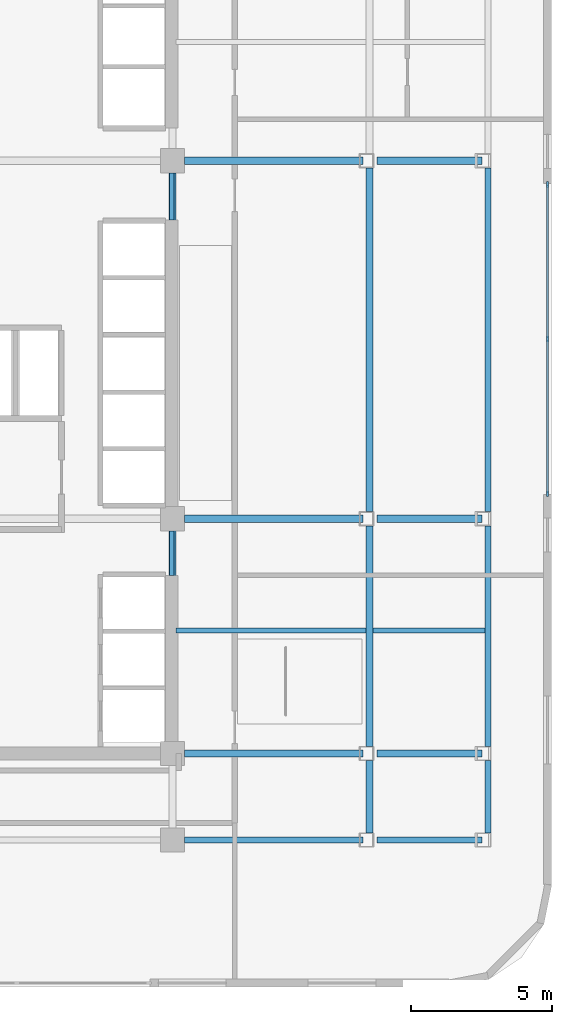
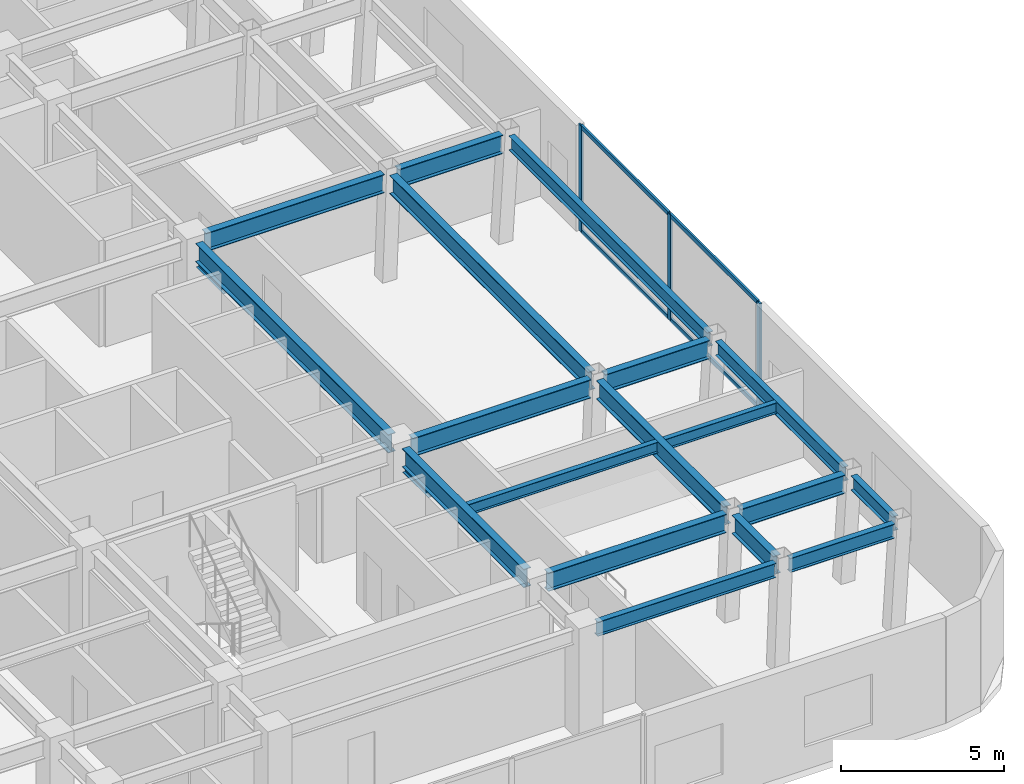
# One storey, part 5 of 13: 20 beams, 7 members, 1 element without a shape of its own.
"""IFC4 building model written with IfcOpenShell, lengths in metres."""

from ifc_helpers import new_model, si_unit, direction, frame, origin, origin_2d, place, context, subcontext, project, spatial, rectangle, i_section, extrude, material, layer, layer_set, material_profile, profile_set, type_object, element, aggregate, save


model = new_model("IFC4")

# Units and contexts
model_context = context("Model", 3, precision=1e-05, world=origin(), true_north=direction((0.0, 1.0)))
body_context = subcontext(model_context, "Body", "Model", "MODEL_VIEW")
ifc_project = project(units=[si_unit("LENGTHUNIT", "METRE"), si_unit("AREAUNIT", "SQUARE_METRE"), si_unit("VOLUMEUNIT", "CUBIC_METRE"), si_unit("PLANEANGLEUNIT", "RADIAN"), si_unit("MASSUNIT", "GRAM", prefix="KILO")], contexts=[model_context])

# Site, building, storey
site_placement = place(None, origin())
site = spatial("IfcSite", under=ifc_project, at=site_placement, CompositionType="ELEMENT")
building_placement = place(site_placement, origin())
building = spatial("IfcBuilding", under=site, at=building_placement, Name="Ochreholt Gables", CompositionType="ELEMENT")
storey_placement = place(building_placement, frame((0.0, 0.0, 60.0)))
storey = spatial("IfcBuildingStorey", under=building, at=storey_placement, Name="L15", CompositionType="ELEMENT", Elevation=60.0)

# Beams
ifc_material_1 = material(Name="Steel CSA G40.21 350W", Category="steel")
ifc_material_profile_1 = material_profile(ifc_material_1, i_section(OverallWidth=0.256103515625, OverallDepth=0.693115234375, WebThickness=0.014404296875, FlangeThickness=0.023681640625, at=origin_2d()), Name="W690X170")
ifc_profile_set_1 = profile_set([ifc_material_profile_1], Name="Steel CSA G40.21 350W")
beam_type_1 = type_object("IfcBeamType", Name="BM-G-W690", PredefinedType="BEAM", material=ifc_profile_set_1)
beam_1_placement = place(storey_placement, frame((35.62451171875, 9.25, 3.613525390625), z_axis=(1.0, 0.0, 0.0), x_axis=(0.0, 1.0, 0.0)))
element("IfcBeam", 1, at=beam_1_placement, inside=storey, type_object=beam_type_1, Name="L15 Beam TBG-L15-C2EM-Y2", PredefinedType="BEAM", context=body_context, shape_type="SweptSolid", body=[
    extrude(i_section(OverallWidth=0.256103515625, OverallDepth=0.693115234375, WebThickness=0.014404296875, FlangeThickness=0.023681640625, at=origin_2d()), origin(), (0.0, 0.0, 1.0), 6.308837890625),
])
beam_2_placement = place(storey_placement, frame((42.4326171875, 9.25, 3.613525390625), z_axis=(1.0, 0.0, 0.0), x_axis=(0.0, 1.0, 0.0)))
element("IfcBeam", 2, at=beam_2_placement, inside=storey, type_object=beam_type_1, Name="L15 Beam TBG-L15-EMEE-Y2", PredefinedType="BEAM", context=body_context, shape_type="SweptSolid", body=[
    extrude(i_section(OverallWidth=0.256103515625, OverallDepth=0.693115234375, WebThickness=0.014404296875, FlangeThickness=0.023681640625, at=origin_2d()), origin(), (0.0, 0.0, 1.0), 3.6982421875),
])
beam_3_placement = place(storey_placement, frame((35.62451171875, 17.550048828125, 3.613525390625), z_axis=(1.0, 0.0, 0.0), x_axis=(0.0, 1.0, 0.0)))
element("IfcBeam", 3, at=beam_3_placement, inside=storey, type_object=beam_type_1, Name="L15 Beam TBG-L15-C2EM-Y3", PredefinedType="BEAM", context=body_context, shape_type="SweptSolid", body=[
    extrude(i_section(OverallWidth=0.256103515625, OverallDepth=0.693115234375, WebThickness=0.014404296875, FlangeThickness=0.023681640625, at=origin_2d()), origin(), (0.0, 0.0, 1.0), 6.308837890625),
])
beam_4_placement = place(storey_placement, frame((42.4326171875, 17.550048828125, 3.613525390625), z_axis=(1.0, 0.0, 0.0), x_axis=(0.0, 1.0, 0.0)))
element("IfcBeam", 4, at=beam_4_placement, inside=storey, type_object=beam_type_1, Name="L15 Beam TBG-L15-EMEE-Y3", PredefinedType="BEAM", context=body_context, shape_type="SweptSolid", body=[
    extrude(i_section(OverallWidth=0.256103515625, OverallDepth=0.693115234375, WebThickness=0.014404296875, FlangeThickness=0.023681640625, at=origin_2d()), origin(), (0.0, 0.0, 1.0), 3.6982421875),
])
beam_5_placement = place(storey_placement, frame((35.62451171875, 30.199951171875, 3.613525390625), z_axis=(1.0, 0.0, 0.0), x_axis=(0.0, 1.0, 0.0)))
element("IfcBeam", 5, at=beam_5_placement, inside=storey, type_object=beam_type_1, Name="L15 Beam TBG-L15-C2EM-Y4", PredefinedType="BEAM", context=body_context, shape_type="SweptSolid", body=[
    extrude(i_section(OverallWidth=0.256103515625, OverallDepth=0.693115234375, WebThickness=0.014404296875, FlangeThickness=0.023681640625, at=origin_2d()), origin(), (0.0, 0.0, 1.0), 6.308837890625),
])
beam_6_placement = place(storey_placement, frame((42.4326171875, 30.199951171875, 3.613525390625), z_axis=(1.0, 0.0, 0.0), x_axis=(0.0, 1.0, 0.0)))
element("IfcBeam", 6, at=beam_6_placement, inside=storey, type_object=beam_type_1, Name="L15 Beam TBG-L15-EMEE-Y4", PredefinedType="BEAM", context=body_context, shape_type="SweptSolid", body=[
    extrude(i_section(OverallWidth=0.256103515625, OverallDepth=0.693115234375, WebThickness=0.014404296875, FlangeThickness=0.023681640625, at=origin_2d()), origin(), (0.0, 0.0, 1.0), 3.6982421875),
])
beam_7_placement = place(storey_placement, frame((35.199951171875, 9.674560546875, 3.613525390625), z_axis=(0.0, 1.0, 0.0), x_axis=(-1.0, 0.0, 0.0)))
element("IfcBeam", 7, at=beam_7_placement, inside=storey, type_object=beam_type_1, Name="L15 Beam TBN-L15-C2-Y2Y3", PredefinedType="BEAM", context=body_context, shape_type="SweptSolid", body=[
    extrude(i_section(OverallWidth=0.256103515625, OverallDepth=0.693115234375, WebThickness=0.014404296875, FlangeThickness=0.023681640625, at=origin_2d()), origin(), (0.0, 0.0, 1.0), 7.450927734375),
])
beam_8_placement = place(storey_placement, frame((35.199951171875, 17.974609375, 3.613525390625), z_axis=(0.0, 1.0, 0.0), x_axis=(-1.0, 0.0, 0.0)))
element("IfcBeam", 8, at=beam_8_placement, inside=storey, type_object=beam_type_1, Name="L15 Beam TBN-L15-C2-Y3Y4", PredefinedType="BEAM", context=body_context, shape_type="SweptSolid", body=[
    extrude(i_section(OverallWidth=0.256103515625, OverallDepth=0.693115234375, WebThickness=0.014404296875, FlangeThickness=0.023681640625, at=origin_2d()), origin(), (0.0, 0.0, 1.0), 11.80078125),
])
beam_9_placement = place(storey_placement, frame((42.165771484375, 6.44970703125, 3.613525390625), z_axis=(0.0, 1.0, 0.0), x_axis=(-1.0, 0.0, 0.0)))
element("IfcBeam", 9, at=beam_9_placement, inside=storey, type_object=beam_type_1, Name="L15 Beam TBN-L15-EM-Y1Y2", PredefinedType="BEAM", context=body_context, shape_type="SweptSolid", body=[
    extrude(i_section(OverallWidth=0.256103515625, OverallDepth=0.693115234375, WebThickness=0.014404296875, FlangeThickness=0.023681640625, at=origin_2d()), origin(), (0.0, 0.0, 1.0), 2.55078125),
])
beam_10_placement = place(storey_placement, frame((42.165771484375, 9.49951171875, 3.613525390625), z_axis=(0.0, 1.0, 0.0), x_axis=(-1.0, 0.0, 0.0)))
element("IfcBeam", 10, at=beam_10_placement, inside=storey, type_object=beam_type_1, Name="L15 Beam TBN-L15-EM-Y2Y3", PredefinedType="BEAM", context=body_context, shape_type="SweptSolid", body=[
    extrude(i_section(OverallWidth=0.256103515625, OverallDepth=0.693115234375, WebThickness=0.014404296875, FlangeThickness=0.023681640625, at=origin_2d()), origin(), (0.0, 0.0, 1.0), 7.80078125),
])
beam_11_placement = place(storey_placement, frame((42.165771484375, 17.799560546875, 3.613525390625), z_axis=(0.0, 1.0, 0.0), x_axis=(-1.0, 0.0, 0.0)))
element("IfcBeam", 11, at=beam_11_placement, inside=storey, type_object=beam_type_1, Name="L15 Beam TBN-L15-EM-Y3Y4", PredefinedType="BEAM", context=body_context, shape_type="SweptSolid", body=[
    extrude(i_section(OverallWidth=0.256103515625, OverallDepth=0.693115234375, WebThickness=0.014404296875, FlangeThickness=0.023681640625, at=origin_2d()), origin(), (0.0, 0.0, 1.0), 12.15087890625),
])
ifc_material_profile_2 = material_profile(ifc_material_1, i_section(OverallWidth=0.178955078125, OverallDepth=0.409912109375, WebThickness=0.0087890625, FlangeThickness=0.014404296875, at=origin_2d()), Name="W410X67")
ifc_profile_set_2 = profile_set([ifc_material_profile_2], Name="Steel CSA G40.21 350W")
beam_type_2 = type_object("IfcBeamType", Name="BM-J-W410", PredefinedType="JOIST", material=ifc_profile_set_2)
beam_12_placement = place(storey_placement, frame((35.32763671875, 13.60009765625, 3.7548828125), z_axis=(1.0, 0.0, 0.0), x_axis=(0.0, 1.0, 0.0)))
element("IfcBeam", 12, at=beam_12_placement, inside=storey, type_object=beam_type_2, Name="L15 Beam TBJ-L15-J1-C2EM", PredefinedType="JOIST", context=body_context, shape_type="SweptSolid", body=[
    extrude(i_section(OverallWidth=0.178955078125, OverallDepth=0.409912109375, WebThickness=0.0087890625, FlangeThickness=0.014404296875, at=origin_2d()), origin(), (0.0, 0.0, 1.0), 6.71044921875),
])
beam_13_placement = place(storey_placement, frame((42.29345703125, 13.60009765625, 3.7548828125), z_axis=(1.0, 0.0, 0.0), x_axis=(0.0, 1.0, 0.0)))
element("IfcBeam", 13, at=beam_13_placement, inside=storey, type_object=beam_type_2, Name="L15 Beam TBJ-L15-J1-EMEE", PredefinedType="JOIST", context=body_context, shape_type="SweptSolid", body=[
    extrude(i_section(OverallWidth=0.178955078125, OverallDepth=0.409912109375, WebThickness=0.0087890625, FlangeThickness=0.014404296875, at=origin_2d()), origin(), (0.0, 0.0, 1.0), 3.954345703125),
])
ifc_material_profile_3 = material_profile(ifc_material_1, i_section(OverallWidth=0.1650390625, OverallDepth=0.200927734375, WebThickness=0.006103515625, FlangeThickness=0.01025390625, at=origin_2d()), Name="W200X36")
ifc_profile_set_3 = profile_set([ifc_material_profile_3], Name="Steel CSA G40.21 350W")
beam_type_3 = type_object("IfcBeamType", Name="BM-LIN-W200", PredefinedType="LINTEL", material=ifc_profile_set_3)
beam_14_placement = place(storey_placement, frame((35.175048828125, 15.550048828125, 3.16650390625), z_axis=(0.0, 1.0, 0.0), x_axis=(-1.0, 0.0, 0.0)))
element("IfcBeam", 14, at=beam_14_placement, inside=storey, type_object=beam_type_3, Name="L15 Core Coupling Lintel CPS", PredefinedType="LINTEL", context=body_context, shape_type="SweptSolid", body=[
    extrude(i_section(OverallWidth=0.1650390625, OverallDepth=0.200927734375, WebThickness=0.006103515625, FlangeThickness=0.01025390625, at=origin_2d()), origin(), (0.0, 0.0, 1.0), 1.574951171875),
])
beam_15_placement = place(storey_placement, frame((35.175048828125, 28.10009765625, 3.16650390625), z_axis=(0.0, 1.0, 0.0), x_axis=(-1.0, 0.0, 0.0)))
element("IfcBeam", 15, at=beam_15_placement, inside=storey, type_object=beam_type_3, Name="L15 Core Coupling Lintel CPN", PredefinedType="LINTEL", context=body_context, shape_type="SweptSolid", body=[
    extrude(i_section(OverallWidth=0.1650390625, OverallDepth=0.200927734375, WebThickness=0.006103515625, FlangeThickness=0.01025390625, at=origin_2d()), origin(), (0.0, 0.0, 1.0), 1.6748046875),
])
ifc_material_profile_4 = material_profile(ifc_material_1, i_section(OverallWidth=0.208984375, OverallDepth=0.532958984375, WebThickness=0.01025390625, FlangeThickness=0.015625, at=origin_2d()), Name="W530X92")
ifc_profile_set_4 = profile_set([ifc_material_profile_4], Name="Steel CSA G40.21 350W")
beam_type_4 = type_object("IfcBeamType", Name="BM-SP-W530B", PredefinedType="SPANDREL", material=ifc_profile_set_4)
beam_16_placement = place(storey_placement, frame((35.62451171875, 6.199951171875, 3.693603515625), z_axis=(1.0, 0.0, 0.0), x_axis=(0.0, 1.0, 0.0)))
element("IfcBeam", 16, at=beam_16_placement, inside=storey, type_object=beam_type_4, Name="L15 Beam TBG-L15-C2EM-Y1", PredefinedType="SPANDREL", context=body_context, shape_type="SweptSolid", body=[
    extrude(i_section(OverallWidth=0.208984375, OverallDepth=0.532958984375, WebThickness=0.01025390625, FlangeThickness=0.015625, at=origin_2d()), origin(), (0.0, 0.0, 1.0), 6.308837890625),
])
beam_17_placement = place(storey_placement, frame((42.4326171875, 6.199951171875, 3.693603515625), z_axis=(1.0, 0.0, 0.0), x_axis=(0.0, 1.0, 0.0)))
element("IfcBeam", 17, at=beam_17_placement, inside=storey, type_object=beam_type_4, Name="L15 Beam TBG-L15-EMEE-Y1", PredefinedType="SPANDREL", context=body_context, shape_type="SweptSolid", body=[
    extrude(i_section(OverallWidth=0.208984375, OverallDepth=0.532958984375, WebThickness=0.01025390625, FlangeThickness=0.015625, at=origin_2d()), origin(), (0.0, 0.0, 1.0), 3.6982421875),
])
beam_18_placement = place(storey_placement, frame((46.35205078125, 6.44970703125, 3.693603515625), z_axis=(0.0, 1.0, 0.0), x_axis=(-1.0, 0.0, 0.0)))
element("IfcBeam", 18, at=beam_18_placement, inside=storey, type_object=beam_type_4, Name="L15 Beam TBN-L15-EE-Y1Y2", PredefinedType="SPANDREL", context=body_context, shape_type="SweptSolid", body=[
    extrude(i_section(OverallWidth=0.208984375, OverallDepth=0.532958984375, WebThickness=0.01025390625, FlangeThickness=0.015625, at=origin_2d()), origin(), (0.0, 0.0, 1.0), 2.55078125),
])
beam_19_placement = place(storey_placement, frame((46.35205078125, 9.49951171875, 3.693603515625), z_axis=(0.0, 1.0, 0.0), x_axis=(-1.0, 0.0, 0.0)))
element("IfcBeam", 19, at=beam_19_placement, inside=storey, type_object=beam_type_4, Name="L15 Beam TBN-L15-EE-Y2Y3", PredefinedType="SPANDREL", context=body_context, shape_type="SweptSolid", body=[
    extrude(i_section(OverallWidth=0.208984375, OverallDepth=0.532958984375, WebThickness=0.01025390625, FlangeThickness=0.015625, at=origin_2d()), origin(), (0.0, 0.0, 1.0), 7.80078125),
])
beam_20_placement = place(storey_placement, frame((46.35205078125, 17.799560546875, 3.693603515625), z_axis=(0.0, 1.0, 0.0), x_axis=(-1.0, 0.0, 0.0)))
element("IfcBeam", 20, at=beam_20_placement, inside=storey, type_object=beam_type_4, Name="L15 Beam TBN-L15-EE-Y3Y4", PredefinedType="SPANDREL", context=body_context, shape_type="SweptSolid", body=[
    extrude(i_section(OverallWidth=0.208984375, OverallDepth=0.532958984375, WebThickness=0.01025390625, FlangeThickness=0.015625, at=origin_2d()), origin(), (0.0, 0.0, 1.0), 12.15087890625),
])

# Curtain wall, members
ifc_material_2 = material(Name="Unitised Aluminium and Triple Glazing", Category="aluminium")
ifc_layer = layer(ifc_material_2, 0.219970703125, Name="Unitised Aluminium and Triple Glazing")
ifc_layer_set = layer_set([ifc_layer], Name="Unitised Aluminium and Triple Glazing")
curtain_wall_type = type_object("IfcCurtainWallType", Name="CW-SYS6", PredefinedType="NOTDEFINED", material=ifc_layer_set)
curtain_wall_placement = place(storey_placement, origin())
curtain_wall = element("IfcCurtainWall", 21, at=curtain_wall_placement, inside=storey, type_object=curtain_wall_type, Name="L15 East Unitised Curtain Wall", PredefinedType="NOTDEFINED")
ifc_material_3 = material(Name="Anodized Aluminium 6063-T6", Category="aluminium")
ifc_material_profile_5 = material_profile(ifc_material_3, rectangle(XDim=0.074951171875, YDim=0.199951171875, at=origin_2d()), Name="CWM75X200")
ifc_profile_set_5 = profile_set([ifc_material_profile_5], Name="Anodized Aluminium 6063-T6")
member_type_1 = type_object("IfcMemberType", Name="CW-MUL-A", PredefinedType="MULLION", material=ifc_profile_set_5)
member_1_placement = place(storey_placement, frame((48.455078125, 18.4375, 0.0), z_axis=(0.0, 0.0, 1.0), x_axis=(-1.0, 0.0, 0.0)))
member_1 = element("IfcMember", 22, at=member_1_placement, type_object=member_type_1, Name="CW-6 mullion 1", PredefinedType="MULLION", context=body_context, shape_type="SweptSolid", body=[
    extrude(rectangle(XDim=0.074951171875, YDim=0.199951171875, at=origin_2d()), origin(), (0.0, 0.0, 1.0), 3.9599609375),
])
member_2_placement = place(storey_placement, frame((48.455078125, 23.89990234375, 0.0), z_axis=(0.0, 0.0, 1.0), x_axis=(-1.0, 0.0, 0.0)))
member_2 = element("IfcMember", 23, at=member_2_placement, type_object=member_type_1, Name="CW-6 mullion 2", PredefinedType="MULLION", context=body_context, shape_type="SweptSolid", body=[
    extrude(rectangle(XDim=0.074951171875, YDim=0.199951171875, at=origin_2d()), origin(), (0.0, 0.0, 1.0), 3.9599609375),
])
member_3_placement = place(storey_placement, frame((48.455078125, 29.362548828125, 0.0), z_axis=(0.0, 0.0, 1.0), x_axis=(-1.0, 0.0, 0.0)))
member_3 = element("IfcMember", 24, at=member_3_placement, type_object=member_type_1, Name="CW-6 mullion 3", PredefinedType="MULLION", context=body_context, shape_type="SweptSolid", body=[
    extrude(rectangle(XDim=0.074951171875, YDim=0.199951171875, at=origin_2d()), origin(), (0.0, 0.0, 1.0), 3.9599609375),
])
ifc_material_profile_6 = material_profile(ifc_material_3, rectangle(XDim=0.074951171875, YDim=0.159912109375, at=origin_2d()), Name="CWT75X160")
ifc_profile_set_6 = profile_set([ifc_material_profile_6], Name="Anodized Aluminium 6063-T6")
member_type_2 = type_object("IfcMemberType", Name="CW-TRN-A", PredefinedType="USERDEFINED", material=ifc_profile_set_6)
member_4_placement = place(storey_placement, frame((48.455078125, 18.47509765625, 0.03759765625), z_axis=(0.0, 1.0, 0.0), x_axis=(-1.0, 0.0, 0.0)))
member_4 = element("IfcMember", 25, at=member_4_placement, type_object=member_type_2, Name="CW-6 transom 1.1", ObjectType="TRANSOM", PredefinedType="USERDEFINED", context=body_context, shape_type="SweptSolid", body=[
    extrude(rectangle(XDim=0.074951171875, YDim=0.159912109375, at=origin_2d()), origin(), (0.0, 0.0, 1.0), 5.387451171875),
])
member_5_placement = place(storey_placement, frame((48.455078125, 18.47509765625, 3.922607421875), z_axis=(0.0, 1.0, 0.0), x_axis=(-1.0, 0.0, 0.0)))
member_5 = element("IfcMember", 26, at=member_5_placement, type_object=member_type_2, Name="CW-6 transom 1.2", ObjectType="TRANSOM", PredefinedType="USERDEFINED", context=body_context, shape_type="SweptSolid", body=[
    extrude(rectangle(XDim=0.074951171875, YDim=0.159912109375, at=origin_2d()), origin(), (0.0, 0.0, 1.0), 5.387451171875),
])
member_6_placement = place(storey_placement, frame((48.455078125, 23.9375, 0.03759765625), z_axis=(0.0, 1.0, 0.0), x_axis=(-1.0, 0.0, 0.0)))
member_6 = element("IfcMember", 27, at=member_6_placement, type_object=member_type_2, Name="CW-6 transom 2.1", ObjectType="TRANSOM", PredefinedType="USERDEFINED", context=body_context, shape_type="SweptSolid", body=[
    extrude(rectangle(XDim=0.074951171875, YDim=0.159912109375, at=origin_2d()), origin(), (0.0, 0.0, 1.0), 5.387451171875),
])
member_7_placement = place(storey_placement, frame((48.455078125, 23.9375, 3.922607421875), z_axis=(0.0, 1.0, 0.0), x_axis=(-1.0, 0.0, 0.0)))
member_7 = element("IfcMember", 28, at=member_7_placement, type_object=member_type_2, Name="CW-6 transom 2.2", ObjectType="TRANSOM", PredefinedType="USERDEFINED", context=body_context, shape_type="SweptSolid", body=[
    extrude(rectangle(XDim=0.074951171875, YDim=0.159912109375, at=origin_2d()), origin(), (0.0, 0.0, 1.0), 5.387451171875),
])
aggregate(curtain_wall, [member_1, member_2, member_3, member_4, member_5, member_6, member_7])

save(model, "model.ifc")
